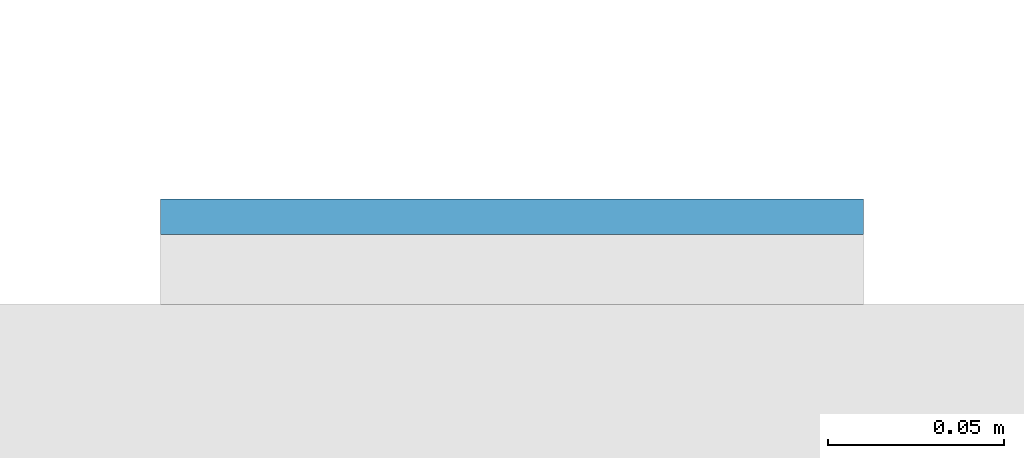
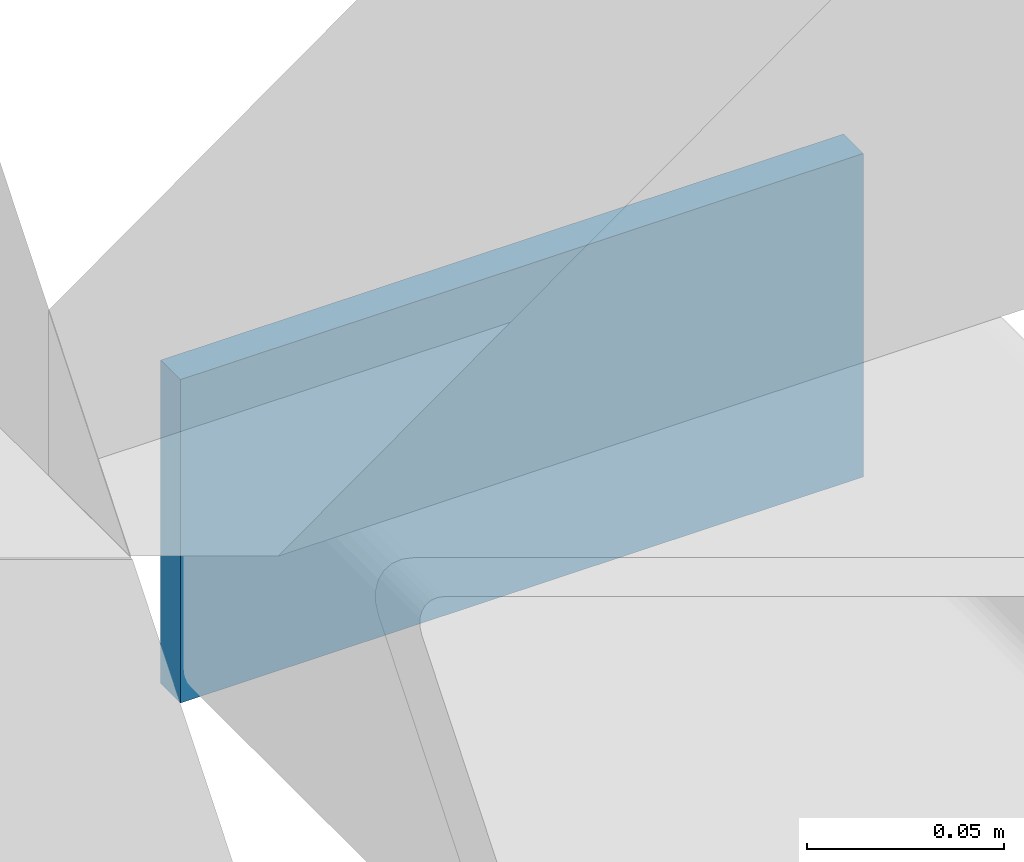
# One storey, part 11 of 20: 1 plate.
"""IFC4 building model written with IfcOpenShell, lengths in metres."""

from ifc_helpers import new_model, si_unit, direction, frame, origin, origin_2d, place, context, subcontext, project, spatial, rectangle, extrude, material, layer, layer_set, type_object, element, save


model = new_model("IFC4")

# Units and contexts
model_context = context("Model", 3, precision=1e-05, world=origin(), true_north=direction((0.0, 1.0)))
body_context = subcontext(model_context, "Body", "Model", "MODEL_VIEW")
ifc_project = project(units=[si_unit("LENGTHUNIT", "METRE"), si_unit("AREAUNIT", "SQUARE_METRE"), si_unit("VOLUMEUNIT", "CUBIC_METRE"), si_unit("PLANEANGLEUNIT", "RADIAN"), si_unit("MASSUNIT", "GRAM", prefix="KILO")], contexts=[model_context])

# Site, building, storey
site_placement = place(None, origin())
site = spatial("IfcSite", under=ifc_project, at=site_placement, CompositionType="ELEMENT")
building_placement = place(site_placement, origin())
building = spatial("IfcBuilding", under=site, at=building_placement, Name="Cleftline Residences", CompositionType="ELEMENT")
storey_placement = place(building_placement, frame((0.0, 0.0, 182.199951171875)))
storey = spatial("IfcBuildingStorey", under=building, at=storey_placement, Name="L47", CompositionType="ELEMENT", Elevation=182.199951171875)

# Plate
ifc_material = material(Name="Steel S355, hot-dip galvanised", Category="steel")
ifc_layer = layer(ifc_material, 0.010009765625)
ifc_layer_set = layer_set([ifc_layer], Name="BAGUETTE CARRIER END PLATE 200X100X10")
plate_type = type_object("IfcPlateType", Name="BAGUETTE CARRIER END PLATE 200X100X10", PredefinedType="USERDEFINED", material=ifc_layer_set)
plate_placement = place(storey_placement, frame((66.85009765625, 44.304931640625, -0.10009765625), z_axis=(0.0, 0.0, 1.0), x_axis=(1.0, 0.0, 0.0)))
element("IfcPlate", 1, at=plate_placement, inside=storey, type_object=plate_type, Name="Baguette carrier end plate", ObjectType="BAGUETTE CARRIER END PLATE", PredefinedType="USERDEFINED", context=body_context, shape_type="SweptSolid", body=[
    extrude(rectangle(XDim=0.199951171875, YDim=0.010009765625, at=origin_2d()), origin(), (0.0, 0.0, 1.0), 0.10009765625),
])

save(model, "model.ifc")
